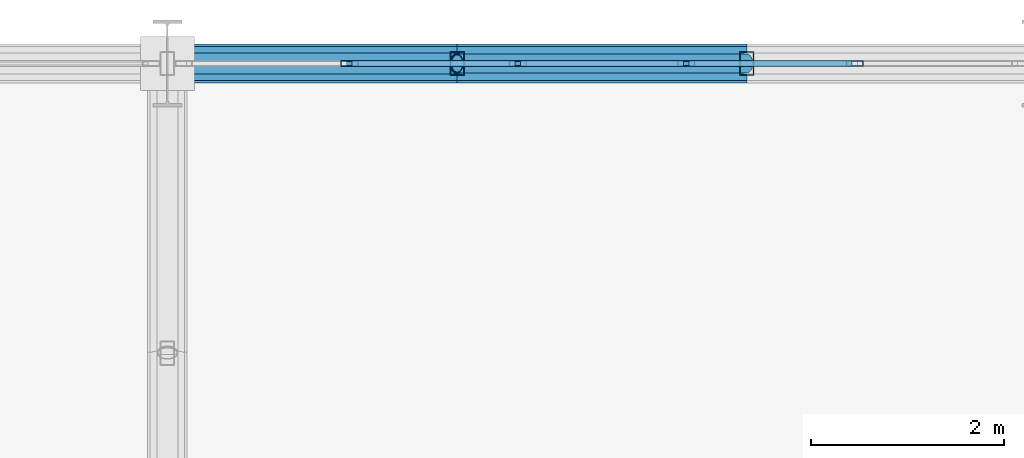
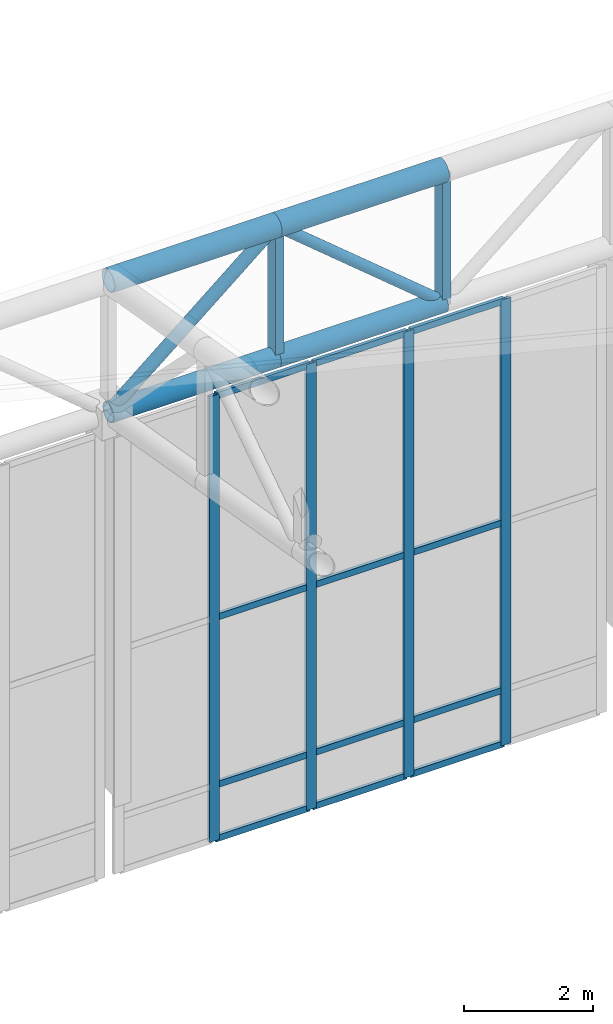
# One storey, part 124 of 239: 24 members, 1 element without a shape of its own.
"""IFC4 building model written with IfcOpenShell, lengths in metres."""

from ifc_helpers import new_model, si_unit, direction, frame, origin, origin_2d, place, context, subcontext, project, spatial, hollow_rectangle, hollow_circle, extrude, material, material_profile, profile_set, type_object, element, aggregate, save


model = new_model("IFC4")

# Units and contexts
model_context = context("Model", 3, precision=1e-05, world=origin(), true_north=direction((0.0, 1.0)))
body_context = subcontext(model_context, "Body", "Model", "MODEL_VIEW")
ifc_project = project(units=[si_unit("LENGTHUNIT", "METRE"), si_unit("AREAUNIT", "SQUARE_METRE"), si_unit("VOLUMEUNIT", "CUBIC_METRE"), si_unit("PLANEANGLEUNIT", "RADIAN"), si_unit("MASSUNIT", "GRAM", prefix="KILO")], contexts=[model_context])

# Site, building, storey
site_placement = place(None, origin())
site = spatial("IfcSite", under=ifc_project, at=site_placement, CompositionType="ELEMENT")
building_placement = place(site_placement, origin())
building = spatial("IfcBuilding", under=site, at=building_placement, Name="Kaldris Quays Convention Centre", CompositionType="ELEMENT")
storey_placement = place(building_placement, frame((0.0, 0.0, 11.39990234375)))
storey = spatial("IfcBuildingStorey", under=building, at=storey_placement, Name="L02", CompositionType="ELEMENT", Elevation=11.39990234375)

# Curtain wall, members
ifc_material_1 = material(Name="Anodized aluminium AW-6060 and triple glazing", Category="aluminium")
curtain_wall_type = type_object("IfcCurtainWallType", Name="UNITISED CURTAIN WALL CW03", PredefinedType="NOTDEFINED", material=ifc_material_1)
curtain_wall_placement = place(storey_placement, origin())
curtain_wall = element("IfcCurtainWall", 1, at=curtain_wall_placement, inside=storey, type_object=curtain_wall_type, Name="L02 Unitised Curtain Wall CW03 244", PredefinedType="NOTDEFINED")
ifc_material_2 = material(Name="Anodized aluminium AW-6060", Category="aluminium")
ifc_material_profile_1 = material_profile(ifc_material_2, hollow_rectangle(XDim=0.06005859375, YDim=0.179931640625, WallThickness=0.0048828125, at=origin_2d()), Name="RHS 180x60x5")
ifc_profile_set_1 = profile_set([ifc_material_profile_1], Name="Anodized aluminium AW-6060")
member_type_1 = type_object("IfcMemberType", Name="CURTAIN MULLION CWM2", PredefinedType="MULLION", material=ifc_profile_set_1)
member_1_placement = place(storey_placement, frame((93.884033203125, 140.0, -1.60498046875), z_axis=(0.0, 0.0, 1.0), x_axis=(0.0, 1.0, 0.0)))
member_1 = element("IfcMember", 2, at=member_1_placement, type_object=member_type_1, Name="CW03 mullion 2", PredefinedType="MULLION", context=body_context, shape_type="SweptSolid", body=[
    extrude(hollow_rectangle(XDim=0.06005859375, YDim=0.179931640625, WallThickness=0.0048828125, at=origin_2d()), origin(), (0.0, 0.0, 1.0), 8.455078125),
])
member_2_placement = place(storey_placement, frame((95.6279296875, 140.0, -1.60498046875), z_axis=(0.0, 0.0, 1.0), x_axis=(0.0, 1.0, 0.0)))
member_2 = element("IfcMember", 3, at=member_2_placement, type_object=member_type_1, Name="CW03 mullion 3", PredefinedType="MULLION", context=body_context, shape_type="SweptSolid", body=[
    extrude(hollow_rectangle(XDim=0.06005859375, YDim=0.179931640625, WallThickness=0.0048828125, at=origin_2d()), origin(), (0.0, 0.0, 1.0), 8.455078125),
])
member_3_placement = place(storey_placement, frame((97.3720703125, 140.0, -1.60498046875), z_axis=(0.0, 0.0, 1.0), x_axis=(0.0, 1.0, 0.0)))
member_3 = element("IfcMember", 4, at=member_3_placement, type_object=member_type_1, Name="CW03 mullion 4", PredefinedType="MULLION", context=body_context, shape_type="SweptSolid", body=[
    extrude(hollow_rectangle(XDim=0.06005859375, YDim=0.179931640625, WallThickness=0.0048828125, at=origin_2d()), origin(), (0.0, 0.0, 1.0), 8.455078125),
])
member_4_placement = place(storey_placement, frame((99.115966796875, 140.0, -1.60498046875), z_axis=(0.0, 0.0, 1.0), x_axis=(0.0, 1.0, 0.0)))
member_4 = element("IfcMember", 5, at=member_4_placement, type_object=member_type_1, Name="CW03 mullion 5", PredefinedType="MULLION", context=body_context, shape_type="SweptSolid", body=[
    extrude(hollow_rectangle(XDim=0.06005859375, YDim=0.179931640625, WallThickness=0.0048828125, at=origin_2d()), origin(), (0.0, 0.0, 1.0), 8.455078125),
])
ifc_material_profile_2 = material_profile(ifc_material_2, hollow_rectangle(XDim=0.06005859375, YDim=0.1201171875, WallThickness=0.00390625, at=origin_2d()), Name="RHS 120x60x4")
ifc_profile_set_2 = profile_set([ifc_material_profile_2], Name="Anodized aluminium AW-6060")
member_type_2 = type_object("IfcMemberType", Name="CURTAIN TRANSOM CWT1", PredefinedType="USERDEFINED", material=ifc_profile_set_2)
member_5_placement = place(storey_placement, frame((93.9140625, 140.0, -1.574951171875), z_axis=(1.0, 0.0, 0.0), x_axis=(0.0, 1.0, 0.0)))
member_5 = element("IfcMember", 6, at=member_5_placement, type_object=member_type_2, Name="CW03 transom 2.1", ObjectType="TRANSOM", PredefinedType="USERDEFINED", context=body_context, shape_type="SweptSolid", body=[
    extrude(hollow_rectangle(XDim=0.06005859375, YDim=0.1201171875, WallThickness=0.00390625, at=origin_2d()), origin(), (0.0, 0.0, 1.0), 1.683837890625),
])
member_6_placement = place(storey_placement, frame((93.9140625, 140.0, -0.554931640625), z_axis=(1.0, 0.0, 0.0), x_axis=(0.0, 1.0, 0.0)))
member_6 = element("IfcMember", 7, at=member_6_placement, type_object=member_type_2, Name="CW03 transom 2.2", ObjectType="TRANSOM", PredefinedType="USERDEFINED", context=body_context, shape_type="SweptSolid", body=[
    extrude(hollow_rectangle(XDim=0.06005859375, YDim=0.1201171875, WallThickness=0.00390625, at=origin_2d()), origin(), (0.0, 0.0, 1.0), 1.683837890625),
])
member_7_placement = place(storey_placement, frame((93.9140625, 140.0, 2.623046875), z_axis=(1.0, 0.0, 0.0), x_axis=(0.0, 1.0, 0.0)))
member_7 = element("IfcMember", 8, at=member_7_placement, type_object=member_type_2, Name="CW03 transom 2.3", ObjectType="TRANSOM", PredefinedType="USERDEFINED", context=body_context, shape_type="SweptSolid", body=[
    extrude(hollow_rectangle(XDim=0.06005859375, YDim=0.1201171875, WallThickness=0.00390625, at=origin_2d()), origin(), (0.0, 0.0, 1.0), 1.683837890625),
])
member_8_placement = place(storey_placement, frame((93.9140625, 140.0, 6.820068359375), z_axis=(1.0, 0.0, 0.0), x_axis=(0.0, 1.0, 0.0)))
member_8 = element("IfcMember", 9, at=member_8_placement, type_object=member_type_2, Name="CW03 transom 2.4", ObjectType="TRANSOM", PredefinedType="USERDEFINED", context=body_context, shape_type="SweptSolid", body=[
    extrude(hollow_rectangle(XDim=0.06005859375, YDim=0.1201171875, WallThickness=0.00390625, at=origin_2d()), origin(), (0.0, 0.0, 1.0), 1.683837890625),
])
member_9_placement = place(storey_placement, frame((95.657958984375, 140.0, -1.574951171875), z_axis=(1.0, 0.0, 0.0), x_axis=(0.0, 1.0, 0.0)))
member_9 = element("IfcMember", 10, at=member_9_placement, type_object=member_type_2, Name="CW03 transom 3.1", ObjectType="TRANSOM", PredefinedType="USERDEFINED", context=body_context, shape_type="SweptSolid", body=[
    extrude(hollow_rectangle(XDim=0.06005859375, YDim=0.1201171875, WallThickness=0.00390625, at=origin_2d()), origin(), (0.0, 0.0, 1.0), 1.68408203125),
])
member_10_placement = place(storey_placement, frame((95.657958984375, 140.0, -0.554931640625), z_axis=(1.0, 0.0, 0.0), x_axis=(0.0, 1.0, 0.0)))
member_10 = element("IfcMember", 11, at=member_10_placement, type_object=member_type_2, Name="CW03 transom 3.2", ObjectType="TRANSOM", PredefinedType="USERDEFINED", context=body_context, shape_type="SweptSolid", body=[
    extrude(hollow_rectangle(XDim=0.06005859375, YDim=0.1201171875, WallThickness=0.00390625, at=origin_2d()), origin(), (0.0, 0.0, 1.0), 1.68408203125),
])
member_11_placement = place(storey_placement, frame((95.657958984375, 140.0, 2.623046875), z_axis=(1.0, 0.0, 0.0), x_axis=(0.0, 1.0, 0.0)))
member_11 = element("IfcMember", 12, at=member_11_placement, type_object=member_type_2, Name="CW03 transom 3.3", ObjectType="TRANSOM", PredefinedType="USERDEFINED", context=body_context, shape_type="SweptSolid", body=[
    extrude(hollow_rectangle(XDim=0.06005859375, YDim=0.1201171875, WallThickness=0.00390625, at=origin_2d()), origin(), (0.0, 0.0, 1.0), 1.68408203125),
])
member_12_placement = place(storey_placement, frame((95.657958984375, 140.0, 6.820068359375), z_axis=(1.0, 0.0, 0.0), x_axis=(0.0, 1.0, 0.0)))
member_12 = element("IfcMember", 13, at=member_12_placement, type_object=member_type_2, Name="CW03 transom 3.4", ObjectType="TRANSOM", PredefinedType="USERDEFINED", context=body_context, shape_type="SweptSolid", body=[
    extrude(hollow_rectangle(XDim=0.06005859375, YDim=0.1201171875, WallThickness=0.00390625, at=origin_2d()), origin(), (0.0, 0.0, 1.0), 1.68408203125),
])
member_13_placement = place(storey_placement, frame((97.402099609375, 140.0, -1.574951171875), z_axis=(1.0, 0.0, 0.0), x_axis=(0.0, 1.0, 0.0)))
member_13 = element("IfcMember", 14, at=member_13_placement, type_object=member_type_2, Name="CW03 transom 4.1", ObjectType="TRANSOM", PredefinedType="USERDEFINED", context=body_context, shape_type="SweptSolid", body=[
    extrude(hollow_rectangle(XDim=0.06005859375, YDim=0.1201171875, WallThickness=0.00390625, at=origin_2d()), origin(), (0.0, 0.0, 1.0), 1.683837890625),
])
member_14_placement = place(storey_placement, frame((97.402099609375, 140.0, -0.554931640625), z_axis=(1.0, 0.0, 0.0), x_axis=(0.0, 1.0, 0.0)))
member_14 = element("IfcMember", 15, at=member_14_placement, type_object=member_type_2, Name="CW03 transom 4.2", ObjectType="TRANSOM", PredefinedType="USERDEFINED", context=body_context, shape_type="SweptSolid", body=[
    extrude(hollow_rectangle(XDim=0.06005859375, YDim=0.1201171875, WallThickness=0.00390625, at=origin_2d()), origin(), (0.0, 0.0, 1.0), 1.683837890625),
])
member_15_placement = place(storey_placement, frame((97.402099609375, 140.0, 2.623046875), z_axis=(1.0, 0.0, 0.0), x_axis=(0.0, 1.0, 0.0)))
member_15 = element("IfcMember", 16, at=member_15_placement, type_object=member_type_2, Name="CW03 transom 4.3", ObjectType="TRANSOM", PredefinedType="USERDEFINED", context=body_context, shape_type="SweptSolid", body=[
    extrude(hollow_rectangle(XDim=0.06005859375, YDim=0.1201171875, WallThickness=0.00390625, at=origin_2d()), origin(), (0.0, 0.0, 1.0), 1.683837890625),
])
member_16_placement = place(storey_placement, frame((97.402099609375, 140.0, 6.820068359375), z_axis=(1.0, 0.0, 0.0), x_axis=(0.0, 1.0, 0.0)))
member_16 = element("IfcMember", 17, at=member_16_placement, type_object=member_type_2, Name="CW03 transom 4.4", ObjectType="TRANSOM", PredefinedType="USERDEFINED", context=body_context, shape_type="SweptSolid", body=[
    extrude(hollow_rectangle(XDim=0.06005859375, YDim=0.1201171875, WallThickness=0.00390625, at=origin_2d()), origin(), (0.0, 0.0, 1.0), 1.683837890625),
])
aggregate(curtain_wall, [member_1, member_2, member_3, member_4, member_5, member_6, member_7, member_8, member_9, member_10, member_11, member_12, member_13, member_14, member_15, member_16])

# Members
ifc_material_3 = material(Name="Steel S355J2H", Category="steel")
ifc_material_profile_3 = material_profile(ifc_material_3, hollow_circle(Radius=0.203125, WallThickness=0.01611328125, at=origin_2d()), Name="CHS 406.4x16")
ifc_profile_set_3 = profile_set([ifc_material_profile_3], Name="Steel S355J2H")
member_type_3 = type_object("IfcMemberType", Name="STRUCTURAL MEMBER SC01", PredefinedType="CHORD", material=ifc_profile_set_3)
for number, where, z_axis, x_axis, name in (
    (18, (92.0, 140.0, 9.671875), (1.0, 0.0, 0.0), (0.0, 1.0, 0.0), "SF-V1 Top Chord X 319"),
    (19, (95.0, 140.0, 9.671875), (1.0, 0.0, 0.0), (0.0, 1.0, 0.0), "SF-V1 Top Chord X 320"),
):
    element("IfcMember", number, at=place(storey_placement, frame(where, z_axis=z_axis, x_axis=x_axis)), inside=storey, type_object=member_type_3, Name=name, PredefinedType="CHORD", context=body_context, shape_type="SweptSolid", body=[
        extrude(hollow_circle(Radius=0.203125, WallThickness=0.01611328125, at=origin_2d()), origin(), (0.0, 0.0, 1.0), 3.0),
    ])
ifc_material_profile_4 = material_profile(ifc_material_3, hollow_circle(Radius=0.177734375, WallThickness=0.01611328125, at=origin_2d()), Name="CHS 355.6x16")
ifc_profile_set_4 = profile_set([ifc_material_profile_4], Name="Steel S355J2H")
member_type_4 = type_object("IfcMemberType", Name="STRUCTURAL MEMBER SC02", PredefinedType="CHORD", material=ifc_profile_set_4)
for number, where, z_axis, x_axis, name in (
    (20, (92.0, 140.0, 7.171875), (1.0, 0.0, 0.0), (0.0, 1.0, 0.0), "SF-V1 Bottom Chord X 319"),
    (21, (95.0, 140.0, 7.171875), (1.0, 0.0, 0.0), (0.0, 1.0, 0.0), "SF-V1 Bottom Chord X 320"),
):
    element("IfcMember", number, at=place(storey_placement, frame(where, z_axis=z_axis, x_axis=x_axis)), inside=storey, type_object=member_type_4, Name=name, PredefinedType="CHORD", context=body_context, shape_type="SweptSolid", body=[
        extrude(hollow_circle(Radius=0.177734375, WallThickness=0.01611328125, at=origin_2d()), origin(), (0.0, 0.0, 1.0), 3.0),
    ])
ifc_material_profile_5 = material_profile(ifc_material_3, hollow_circle(Radius=0.109619140625, WallThickness=0.010009765625, at=origin_2d()), Name="CHS 219.1x10")
ifc_profile_set_5 = profile_set([ifc_material_profile_5], Name="Steel S355J2H")
member_type_5 = type_object("IfcMemberType", Name="STRUCTURAL MEMBER SWB1", PredefinedType="BRACE", material=ifc_profile_set_5)
member_17_placement = place(storey_placement, frame((92.0, 140.0, 7.171875), z_axis=(0.768221279597, 0.0, 0.640184399664), x_axis=(0.0, 1.0, 0.0)))
element("IfcMember", 22, at=member_17_placement, inside=storey, type_object=member_type_5, Name="SF-V1 Web Diagonal X 319", PredefinedType="BRACE", context=body_context, shape_type="SweptSolid", body=[
    extrude(hollow_circle(Radius=0.109619140625, WallThickness=0.010009765625, at=origin_2d()), origin(), (0.0, 0.0, 1.0), 3.905029296875),
])
ifc_material_profile_6 = material_profile(ifc_material_3, hollow_circle(Radius=0.096923828125, WallThickness=0.008056640625, at=origin_2d()), Name="CHS 193.7x8")
ifc_profile_set_6 = profile_set([ifc_material_profile_6], Name="Steel S355J2H")
member_type_6 = type_object("IfcMemberType", Name="STRUCTURAL MEMBER SWB3", PredefinedType="BRACE", material=ifc_profile_set_6)
member_18_placement = place(storey_placement, frame((98.0, 140.0, 7.171875), z_axis=(-0.768221279597, 0.0, 0.640184399664), x_axis=(0.0, -1.0, 0.0)))
element("IfcMember", 23, at=member_18_placement, inside=storey, type_object=member_type_6, Name="SF-V1 Web Diagonal X 320", PredefinedType="BRACE", context=body_context, shape_type="SweptSolid", body=[
    extrude(hollow_circle(Radius=0.096923828125, WallThickness=0.008056640625, at=origin_2d()), origin(), (0.0, 0.0, 1.0), 3.905029296875),
])
ifc_material_profile_7 = material_profile(ifc_material_3, hollow_rectangle(XDim=0.14990234375, YDim=0.25, WallThickness=0.010009765625, at=origin_2d()), Name="RHS 250x150x10")
ifc_profile_set_7 = profile_set([ifc_material_profile_7], Name="Steel S355J2H")
member_type_7 = type_object("IfcMemberType", Name="STRUCTURAL MEMBER TTV1", PredefinedType="POST", material=ifc_profile_set_7)
for number, where, z_axis, x_axis, name in (
    (24, (95.0, 140.0, 7.171875), (0.0, 0.0, 1.0), (1.0, 0.0, 0.0), "SF-V1 Space-Frame Post 313"),
    (25, (98.0, 140.0, 7.171875), (0.0, 0.0, 1.0), (1.0, 0.0, 0.0), "SF-V1 Space-Frame Post 321"),
):
    element("IfcMember", number, at=place(storey_placement, frame(where, z_axis=z_axis, x_axis=x_axis)), inside=storey, type_object=member_type_7, Name=name, PredefinedType="POST", context=body_context, shape_type="SweptSolid", body=[
        extrude(hollow_rectangle(XDim=0.14990234375, YDim=0.25, WallThickness=0.010009765625, at=origin_2d()), origin(), (0.0, 0.0, 1.0), 2.5),
    ])

save(model, "model.ifc")
